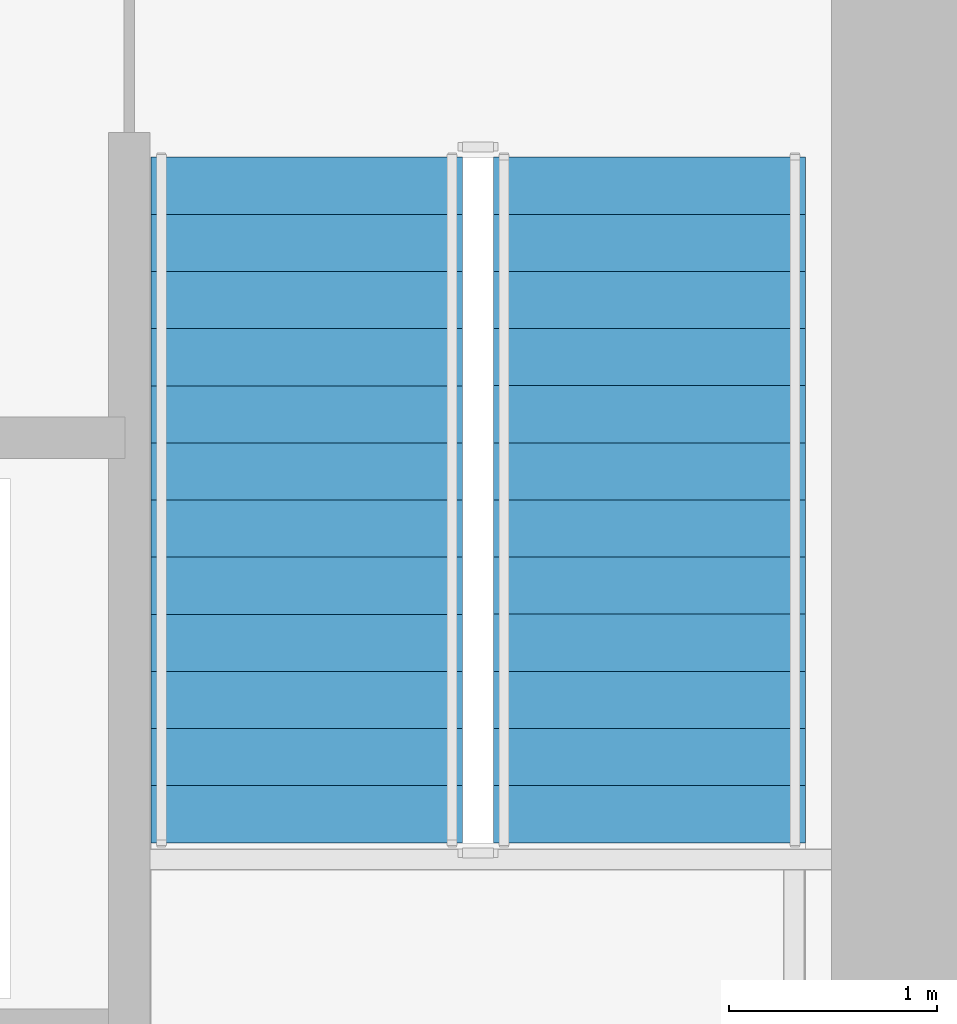
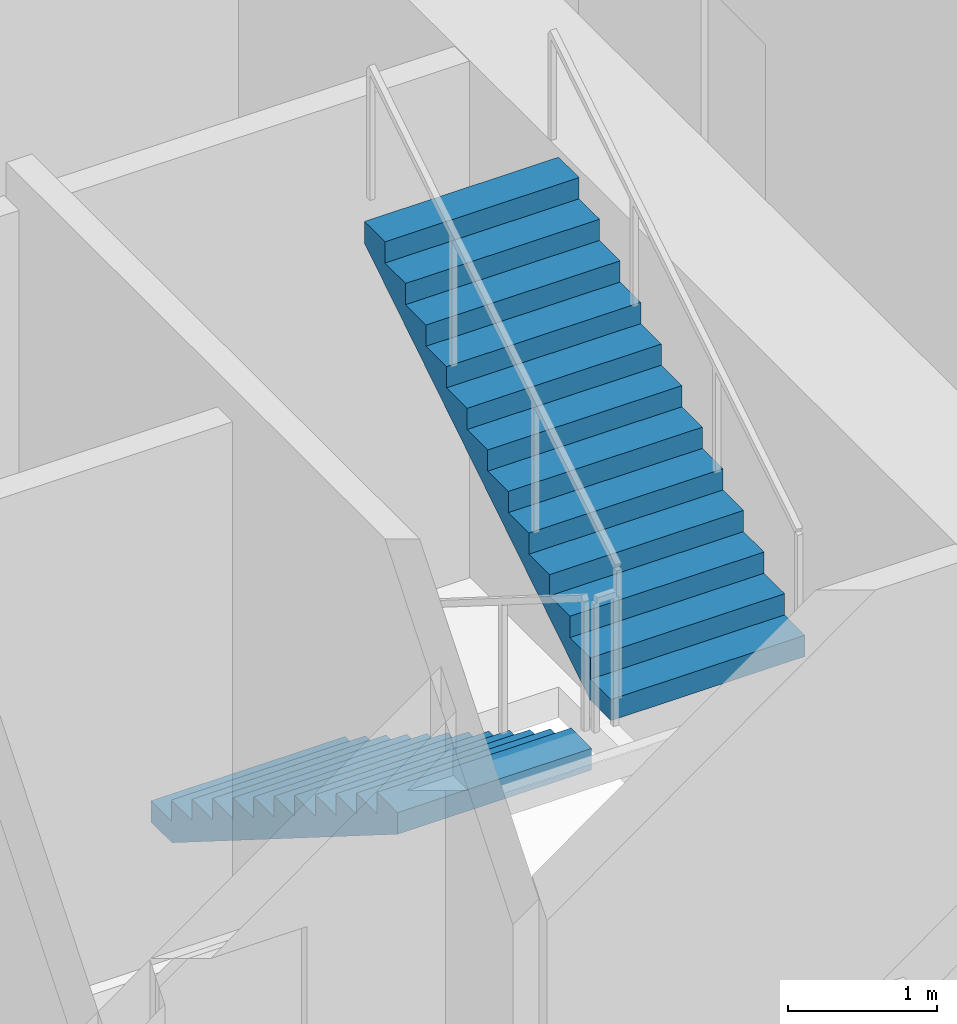
# One storey, part 12 of 18: 2 stair flights, 1 element without a shape of its own.
"""IFC4 building model written with IfcOpenShell, lengths in metres."""

from ifc_helpers import new_model, si_unit, direction, frame, origin, place, context, subcontext, project, spatial, polyline, outline, extrude, material, type_object, element, aggregate, save


model = new_model("IFC4")

# Units and contexts
model_context = context("Model", 3, precision=1e-05, world=origin(), true_north=direction((0.0, 1.0)))
body_context = subcontext(model_context, "Body", "Model", "MODEL_VIEW")
ifc_project = project(units=[si_unit("LENGTHUNIT", "METRE"), si_unit("AREAUNIT", "SQUARE_METRE"), si_unit("VOLUMEUNIT", "CUBIC_METRE"), si_unit("PLANEANGLEUNIT", "RADIAN"), si_unit("MASSUNIT", "GRAM", prefix="KILO")], contexts=[model_context])

# Site, building, storey
site_placement = place(None, origin())
site = spatial("IfcSite", under=ifc_project, at=site_placement, CompositionType="ELEMENT")
building_placement = place(site_placement, origin())
building = spatial("IfcBuilding", under=site, at=building_placement, Name="Cinnabar Lancet Tower", CompositionType="ELEMENT")
storey_placement = place(building_placement, frame((0.0, 0.0, 15.0)))
storey = spatial("IfcBuildingStorey", under=building, at=storey_placement, Name="L03", CompositionType="ELEMENT", Elevation=15.0)

# Stair, stair flights
ifc_material_1 = material(Name="Concrete C40/50", Category="concrete")
stair_type = type_object("IfcStairType", Name="ST-CORE", PredefinedType="HALF_TURN_STAIR", material=ifc_material_1)
stair_placement = place(storey_placement, origin())
stair = element("IfcStair", 1, at=stair_placement, inside=storey, type_object=stair_type, Name="L03 ST-2", PredefinedType="HALF_TURN_STAIR")
ifc_material_2 = material(Name="Concrete C40/50", Category="concrete")
stair_flight_type = type_object("IfcStairFlightType", Name="FLIGHT-CORE", PredefinedType="STRAIGHT", material=ifc_material_2)
stair_flight_1_placement = place(storey_placement, frame((38.875, 28.39990234375, 0.0), z_axis=(0.0, 0.0, 1.0), x_axis=(0.0, -1.0, 0.0)))
stair_flight_1 = element("IfcStairFlight", 2, at=stair_flight_1_placement, type_object=stair_flight_type, Name="ST-2 flight 1", NumberOfRisers=13, NumberOfTreads=12, PredefinedType="STRAIGHT", RiserHeight=0.173076923, TreadLength=0.275, context=body_context, shape_type="SweptSolid", body=[
    extrude(outline(polyline([(0.0, 0.0), (0.0, 0.173095703125), (0.27490234375, 0.173095703125), (0.27490234375, 0.34619140625), (0.550048828125, 0.34619140625), (0.550048828125, 0.519287109375), (0.824951171875, 0.519287109375), (0.824951171875, 0.6923828125), (1.10009765625, 0.6923828125), (1.10009765625, 0.865478515625), (1.375, 0.865478515625), (1.375, 1.03857421875), (1.64990234375, 1.03857421875), (1.64990234375, 1.21142578125), (1.925048828125, 1.21142578125), (1.925048828125, 1.384521484375), (2.199951171875, 1.384521484375), (2.199951171875, 1.5576171875), (2.47509765625, 1.5576171875), (2.47509765625, 1.730712890625), (2.75, 1.730712890625), (2.75, 1.90380859375), (3.02490234375, 1.90380859375), (3.02490234375, 2.076904296875), (3.300048828125, 2.076904296875), (3.300048828125, 2.25), (3.300048828125, 1.89990234375), (0.281494140625, 0.0), (0.0, 0.0)])), frame((0.0, 0.75, 0.0), z_axis=(0.0, -1.0, 0.0), x_axis=(1.0, 0.0, 0.0)), (0.0, 0.0, 1.0), 1.5),
])
stair_flight_2_placement = place(storey_placement, frame((40.52490234375, 25.10009765625, 2.25), z_axis=(0.0, 0.0, 1.0), x_axis=(0.0, 1.0, 0.0)))
stair_flight_2 = element("IfcStairFlight", 3, at=stair_flight_2_placement, type_object=stair_flight_type, Name="ST-2 flight 2", NumberOfRisers=13, NumberOfTreads=12, PredefinedType="STRAIGHT", RiserHeight=0.173076923, TreadLength=0.275, context=body_context, shape_type="SweptSolid", body=[
    extrude(outline(polyline([(0.0, 0.0), (0.0, 0.173095703125), (0.27490234375, 0.173095703125), (0.27490234375, 0.34619140625), (0.550048828125, 0.34619140625), (0.550048828125, 0.519287109375), (0.824951171875, 0.519287109375), (0.824951171875, 0.6923828125), (1.10009765625, 0.6923828125), (1.10009765625, 0.865478515625), (1.375, 0.865478515625), (1.375, 1.03857421875), (1.64990234375, 1.03857421875), (1.64990234375, 1.21142578125), (1.925048828125, 1.21142578125), (1.925048828125, 1.384521484375), (2.199951171875, 1.384521484375), (2.199951171875, 1.5576171875), (2.47509765625, 1.5576171875), (2.47509765625, 1.730712890625), (2.75, 1.730712890625), (2.75, 1.90380859375), (3.02490234375, 1.90380859375), (3.02490234375, 2.076904296875), (3.300048828125, 2.076904296875), (3.300048828125, 2.25), (3.300048828125, 1.89990234375), (0.281494140625, 0.0), (0.0, 0.0)])), frame((0.0, 0.75, 0.0), z_axis=(0.0, -1.0, 0.0), x_axis=(1.0, 0.0, 0.0)), (0.0, 0.0, 1.0), 1.5),
])
aggregate(stair, [stair_flight_1, stair_flight_2])

save(model, "model.ifc")
